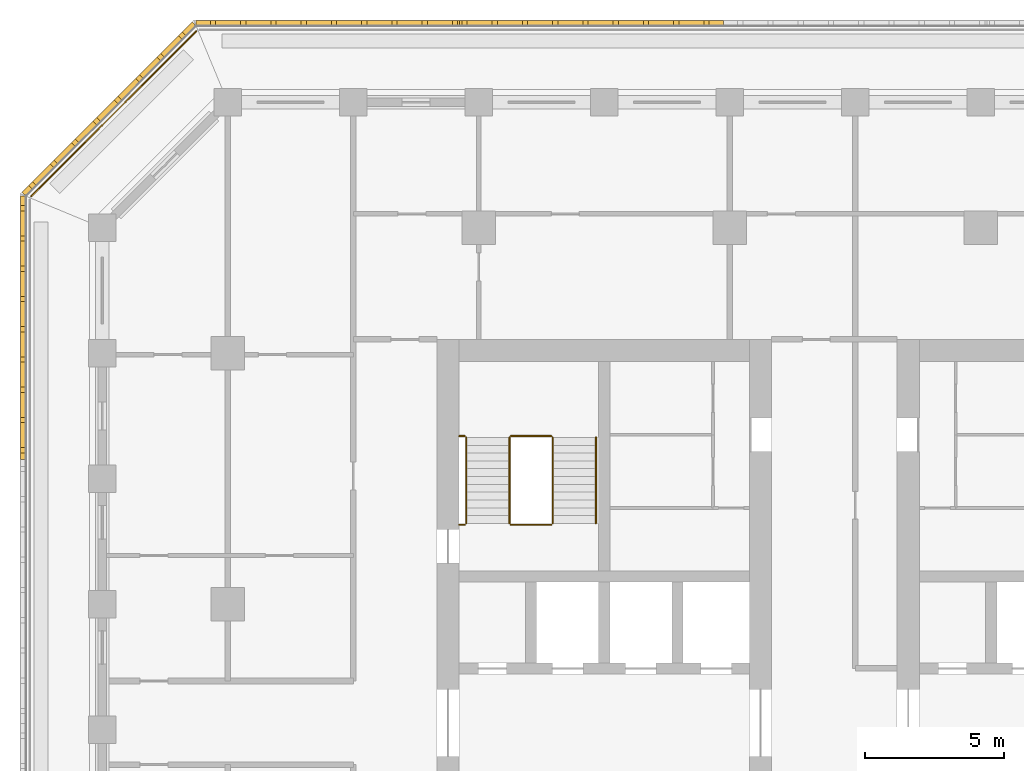
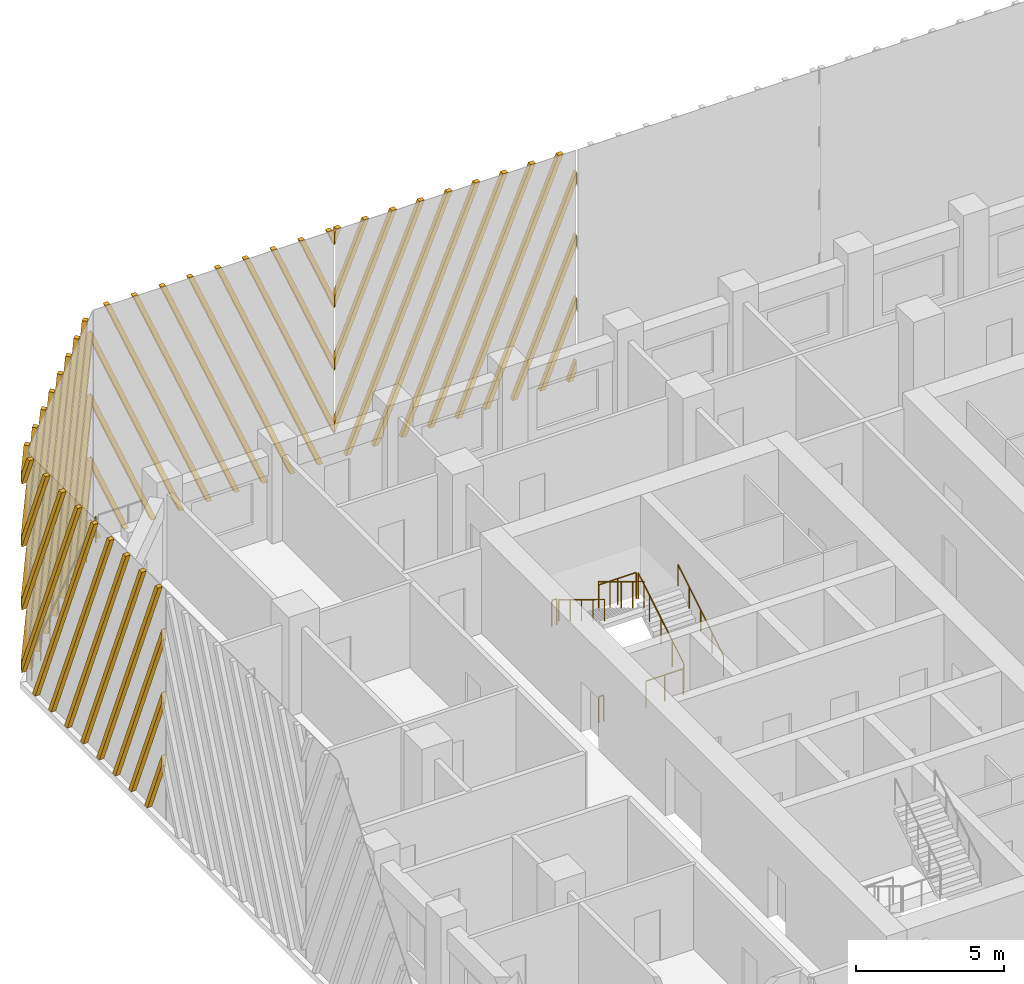
# One storey, part 14 of 17: 9 railings, 4 shading devices.
"""IFC4 building model written with IfcOpenShell, lengths in metres."""

from ifc_helpers import new_model, si_unit, direction, frame, origin, origin_2d, place, context, subcontext, project, spatial, polyline, circle, outline, extrude, source, transform, mapped, material, type_object, element, save


model = new_model("IFC4")

# Units and contexts
model_context = context("Model", 3, precision=1e-05, world=origin(), true_north=direction((0.0, 1.0)))
body_context = subcontext(model_context, "Body", "Model", "MODEL_VIEW")
ifc_project = project(units=[si_unit("LENGTHUNIT", "METRE"), si_unit("AREAUNIT", "SQUARE_METRE"), si_unit("VOLUMEUNIT", "CUBIC_METRE"), si_unit("PLANEANGLEUNIT", "RADIAN"), si_unit("MASSUNIT", "GRAM", prefix="KILO")], contexts=[model_context])

# Site, building, storey
site_placement = place(None, origin())
site = spatial("IfcSite", under=ifc_project, at=site_placement, CompositionType="ELEMENT")
building_placement = place(site_placement, origin())
building = spatial("IfcBuilding", under=site, at=building_placement, Name="Corbel Stack Research Tower", CompositionType="ELEMENT")
storey_placement = place(building_placement, frame((0.0, 0.0, 216.10009765625)))
storey = spatial("IfcBuildingStorey", under=building, at=storey_placement, Name="L49", CompositionType="ELEMENT", Elevation=216.10009765625)

# Railings
ifc_material_1 = material(Name="Steel S355", Category="steel")
railing_type_1 = type_object("IfcRailingType", Name="Stair guard 1100", PredefinedType="GUARDRAIL", material=ifc_material_1)
railing_1_placement = place(storey_placement, frame((-6.35009765625, 11.89990234375, 0.170654296875)))
element("IfcRailing", 1, at=railing_1_placement, inside=storey, type_object=railing_type_1, Name="L49 ST-W2 stair guard 1", PredefinedType="GUARDRAIL", context=body_context, shape_type="SweptSolid", body=[
    extrude(circle(Radius=0.02392578125, at=origin_2d()), frame((0.0, 0.0, 1.076171875), z_axis=(0.0, 0.853666305674, 0.52082035152), x_axis=(-1.0, 0.0, 0.0)), (0.0, 0.0, 1.0), 3.608154296875),
    extrude(circle(Radius=0.02099609375, at=origin_2d()), origin(), (0.0, 0.0, 1.0), 1.052001953125),
    extrude(circle(Radius=0.02099609375, at=origin_2d()), frame((0.0, 0.77001953125, 0.4697265625)), (0.0, 0.0, 1.0), 1.052001953125),
    extrude(circle(Radius=0.02099609375, at=origin_2d()), frame((0.0, 1.5400390625, 0.939453125)), (0.0, 0.0, 1.0), 1.052001953125),
    extrude(circle(Radius=0.02099609375, at=origin_2d()), frame((0.0, 2.31005859375, 1.409423828125)), (0.0, 0.0, 1.0), 1.052001953125),
    extrude(circle(Radius=0.02099609375, at=origin_2d()), frame((0.0, 3.080078125, 1.879150390625)), (0.0, 0.0, 1.0), 1.052001953125),
])
railing_2_placement = place(storey_placement, frame((-6.39990234375, 15.030029296875, 2.0498046875)))
element("IfcRailing", 2, at=railing_2_placement, inside=storey, type_object=railing_type_1, Name="L49 ST-W2 stair guard 2", PredefinedType="GUARDRAIL", context=body_context, shape_type="SweptSolid", body=[
    extrude(circle(Radius=0.02392578125, at=origin_2d()), frame((0.0, 0.0, 1.076171875), z_axis=(-1.0, 0.0, 0.0), x_axis=(0.0, -1.0, 0.0)), (0.0, 0.0, 1.0), 1.4501953125),
    extrude(circle(Radius=0.02099609375, at=origin_2d()), origin(), (0.0, 0.0, 1.0), 1.052001953125),
    extrude(circle(Radius=0.02099609375, at=origin_2d()), frame((-0.72509765625, 0.0, 0.0)), (0.0, 0.0, 1.0), 1.052001953125),
    extrude(circle(Radius=0.02099609375, at=origin_2d()), frame((-1.4501953125, 0.0, 0.0)), (0.0, 0.0, 1.0), 1.052001953125),
])
railing_3_placement = place(storey_placement, frame((-9.5, 15.030029296875, 2.0498046875)))
element("IfcRailing", 3, at=railing_3_placement, inside=storey, type_object=railing_type_1, Name="L49 ST-W2 stair guard 3", PredefinedType="GUARDRAIL", context=body_context, shape_type="SweptSolid", body=[
    extrude(circle(Radius=0.02392578125, at=origin_2d()), frame((0.0, 0.0, 1.076171875), z_axis=(-1.0, 0.0, 0.0), x_axis=(0.0, -1.0, 0.0)), (0.0, 0.0, 1.0), 0.199951171875),
    extrude(circle(Radius=0.02099609375, at=origin_2d()), origin(), (0.0, 0.0, 1.0), 1.052001953125),
    extrude(circle(Radius=0.02099609375, at=origin_2d()), frame((-0.199951171875, 0.0, 0.0)), (0.0, 0.0, 1.0), 1.052001953125),
])
railing_4_placement = place(storey_placement, frame((-7.89990234375, 14.97998046875, 2.220703125)))
element("IfcRailing", 4, at=railing_4_placement, inside=storey, type_object=railing_type_1, Name="L49 ST-W2 stair guard 4", PredefinedType="GUARDRAIL", context=body_context, shape_type="SweptSolid", body=[
    extrude(circle(Radius=0.02392578125, at=origin_2d()), frame((0.0, 0.0, 1.076171875), z_axis=(0.0, -0.853666305674, 0.52082035152), x_axis=(1.0, 0.0, 0.0)), (0.0, 0.0, 1.0), 3.608154296875),
    extrude(circle(Radius=0.02099609375, at=origin_2d()), origin(), (0.0, 0.0, 1.0), 1.052001953125),
    extrude(circle(Radius=0.02099609375, at=origin_2d()), frame((0.0, -0.77001953125, 0.4697265625)), (0.0, 0.0, 1.0), 1.052001953125),
    extrude(circle(Radius=0.02099609375, at=origin_2d()), frame((0.0, -1.5400390625, 0.939453125)), (0.0, 0.0, 1.0), 1.052001953125),
    extrude(circle(Radius=0.02099609375, at=origin_2d()), frame((0.0, -2.31005859375, 1.409423828125)), (0.0, 0.0, 1.0), 1.052001953125),
    extrude(circle(Radius=0.02099609375, at=origin_2d()), frame((0.0, -3.080078125, 1.879150390625)), (0.0, 0.0, 1.0), 1.052001953125),
])
railing_5_placement = place(storey_placement, frame((-6.39990234375, 11.85009765625, 0.0)))
element("IfcRailing", 5, at=railing_5_placement, inside=storey, type_object=railing_type_1, Name="L49 ST-W2 stair guard 5", PredefinedType="GUARDRAIL", context=body_context, shape_type="SweptSolid", body=[
    extrude(circle(Radius=0.02392578125, at=origin_2d()), frame((0.0, 0.0, 1.076171875), z_axis=(-1.0, 0.0, 0.0), x_axis=(0.0, -1.0, 0.0)), (0.0, 0.0, 1.0), 1.4501953125),
    extrude(circle(Radius=0.02099609375, at=origin_2d()), origin(), (0.0, 0.0, 1.0), 1.052001953125),
    extrude(circle(Radius=0.02099609375, at=origin_2d()), frame((-0.72509765625, 0.0, 0.0)), (0.0, 0.0, 1.0), 1.052001953125),
    extrude(circle(Radius=0.02099609375, at=origin_2d()), frame((-1.4501953125, 0.0, 0.0)), (0.0, 0.0, 1.0), 1.052001953125),
])
railing_6_placement = place(storey_placement, frame((-9.5, 11.85009765625, 0.0)))
element("IfcRailing", 6, at=railing_6_placement, inside=storey, type_object=railing_type_1, Name="L49 ST-W2 stair guard 6", PredefinedType="GUARDRAIL", context=body_context, shape_type="SweptSolid", body=[
    extrude(circle(Radius=0.02392578125, at=origin_2d()), frame((0.0, 0.0, 1.076171875), z_axis=(-1.0, 0.0, 0.0), x_axis=(0.0, -1.0, 0.0)), (0.0, 0.0, 1.0), 0.199951171875),
    extrude(circle(Radius=0.02099609375, at=origin_2d()), origin(), (0.0, 0.0, 1.0), 1.052001953125),
    extrude(circle(Radius=0.02099609375, at=origin_2d()), frame((-0.199951171875, 0.0, 0.0)), (0.0, 0.0, 1.0), 1.052001953125),
])
ifc_material_2 = material(Name="Steel S355", Category="steel")
railing_type_2 = type_object("IfcRailingType", Name="Stair handrail 900", PredefinedType="HANDRAIL", material=ifc_material_2)
railing_7_placement = place(storey_placement, frame((-4.800048828125, 11.89990234375, 0.170654296875)))
element("IfcRailing", 7, at=railing_7_placement, inside=storey, type_object=railing_type_2, Name="L49 ST-W2 stair handrail 1", PredefinedType="HANDRAIL", context=body_context, shape_type="SweptSolid", body=[
    extrude(circle(Radius=0.02392578125, at=origin_2d()), frame((0.0, 0.0, 0.8759765625), z_axis=(0.0, 0.853666305674, 0.52082035152), x_axis=(-1.0, 0.0, 0.0)), (0.0, 0.0, 1.0), 3.608154296875),
    extrude(circle(Radius=0.02099609375, at=origin_2d()), origin(), (0.0, 0.0, 1.0), 0.851806640625),
    extrude(circle(Radius=0.02099609375, at=origin_2d()), frame((0.0, 0.77001953125, 0.4697265625)), (0.0, 0.0, 1.0), 0.851806640625),
    extrude(circle(Radius=0.02099609375, at=origin_2d()), frame((0.0, 1.5400390625, 0.939453125)), (0.0, 0.0, 1.0), 0.851806640625),
    extrude(circle(Radius=0.02099609375, at=origin_2d()), frame((0.0, 2.31005859375, 1.409423828125)), (0.0, 0.0, 1.0), 0.851806640625),
    extrude(circle(Radius=0.02099609375, at=origin_2d()), frame((0.0, 3.080078125, 1.879150390625)), (0.0, 0.0, 1.0), 0.851806640625),
])
railing_8_placement = place(storey_placement, frame((-9.449951171875, 14.97998046875, 2.220703125)))
element("IfcRailing", 8, at=railing_8_placement, inside=storey, type_object=railing_type_2, Name="L49 ST-W2 stair handrail 2", PredefinedType="HANDRAIL", context=body_context, shape_type="SweptSolid", body=[
    extrude(circle(Radius=0.02392578125, at=origin_2d()), frame((0.0, 0.0, 0.8759765625), z_axis=(0.0, -0.853666305674, 0.52082035152), x_axis=(1.0, 0.0, 0.0)), (0.0, 0.0, 1.0), 3.608154296875),
    extrude(circle(Radius=0.02099609375, at=origin_2d()), origin(), (0.0, 0.0, 1.0), 0.851806640625),
    extrude(circle(Radius=0.02099609375, at=origin_2d()), frame((0.0, -0.77001953125, 0.4697265625)), (0.0, 0.0, 1.0), 0.851806640625),
    extrude(circle(Radius=0.02099609375, at=origin_2d()), frame((0.0, -1.5400390625, 0.939453125)), (0.0, 0.0, 1.0), 0.851806640625),
    extrude(circle(Radius=0.02099609375, at=origin_2d()), frame((0.0, -2.31005859375, 1.409423828125)), (0.0, 0.0, 1.0), 0.851806640625),
    extrude(circle(Radius=0.02099609375, at=origin_2d()), frame((0.0, -3.080078125, 1.879150390625)), (0.0, 0.0, 1.0), 0.851806640625),
])
ifc_material_3 = material(Name="Powder-coated steel guard", Category="steel")
railing_type_3 = type_object("IfcRailingType", Name="Steel and glass guard 1100", PredefinedType="GUARDRAIL", material=ifc_material_3)
railing_9_placement = place(storey_placement, frame((-19.127685546875, 29.54931640625, 0.0)))
element("IfcRailing", 9, at=railing_9_placement, inside=storey, type_object=railing_type_3, Name="Loggia guard L49 NW", PredefinedType="GUARDRAIL", context=body_context, shape_type="SweptSolid", body=[
    extrude(circle(Radius=0.02392578125, at=origin_2d()), frame((0.0, 0.0, 1.076171875), z_axis=(-0.707106781187, -0.707106781187, 0.0), x_axis=(0.707106781187, -0.707106781187, 0.0)), (0.0, 0.0, 1.0), 8.37451171875),
    extrude(circle(Radius=0.02099609375, at=origin_2d()), origin(), (0.0, 0.0, 1.0), 1.052001953125),
    extrude(circle(Radius=0.02099609375, at=origin_2d()), frame((-0.845947265625, -0.845947265625, 0.0)), (0.0, 0.0, 1.0), 1.052001953125),
    extrude(circle(Radius=0.02099609375, at=origin_2d()), frame((-1.69189453125, -1.69189453125, 0.0)), (0.0, 0.0, 1.0), 1.052001953125),
    extrude(circle(Radius=0.02099609375, at=origin_2d()), frame((-2.537841796875, -2.537841796875, 0.0)), (0.0, 0.0, 1.0), 1.052001953125),
    extrude(circle(Radius=0.02099609375, at=origin_2d()), frame((-3.3837890625, -3.3837890625, 0.0)), (0.0, 0.0, 1.0), 1.052001953125),
    extrude(circle(Radius=0.02099609375, at=origin_2d()), frame((-4.229736328125, -4.229736328125, 0.0)), (0.0, 0.0, 1.0), 1.052001953125),
    extrude(circle(Radius=0.02099609375, at=origin_2d()), frame((-5.07568359375, -5.07568359375, 0.0)), (0.0, 0.0, 1.0), 1.052001953125),
    extrude(circle(Radius=0.02099609375, at=origin_2d()), frame((-5.921630859375, -5.921630859375, 0.0)), (0.0, 0.0, 1.0), 1.052001953125),
])

# Shading devices
ifc_material_4 = material(Name="Precast terracotta", Category="masonry")
shading_device_type = type_object("IfcShadingDeviceType", Name="Terracotta screen panel", PredefinedType="USERDEFINED", material=ifc_material_4)
shared_shape_1 = source(origin(), body_context, "Body", "SweptSolid", [
    extrude(outline(polyline([(0.26611328125, 9.5), (0.076171875, 9.5), (0.0, 9.317626953125), (0.0, 8.862548828125), (0.26611328125, 9.5)])), frame((0.0, 0.0, 0.0), z_axis=(0.0, -1.0, 0.0), x_axis=(1.0, 0.0, 0.0)), (0.0, 0.0, 1.0), 0.179931640625),
    extrude(outline(polyline([(1.350830078125, 9.5), (1.160888671875, 9.5), (0.0, 6.720458984375), (0.0, 6.265380859375), (1.350830078125, 9.5)])), frame((0.0, 0.0, 0.0), z_axis=(0.0, -1.0, 0.0), x_axis=(1.0, 0.0, 0.0)), (0.0, 0.0, 1.0), 0.179931640625),
    extrude(outline(polyline([(2.435546875, 9.5), (2.24560546875, 9.5), (0.0, 4.123291015625), (0.0, 3.668212890625), (2.435546875, 9.5)])), frame((0.0, 0.0, 0.0), z_axis=(0.0, -1.0, 0.0), x_axis=(1.0, 0.0, 0.0)), (0.0, 0.0, 1.0), 0.179931640625),
    extrude(outline(polyline([(3.520263671875, 9.5), (3.330078125, 9.5), (0.0, 1.526123046875), (0.0, 1.071044921875), (3.520263671875, 9.5)])), frame((0.0, 0.0, 0.0), z_axis=(0.0, -1.0, 0.0), x_axis=(1.0, 0.0, 0.0)), (0.0, 0.0, 1.0), 0.179931640625),
    extrude(outline(polyline([(0.63720703125, 0.0), (4.604736328125, 9.5), (4.414794921875, 9.5), (0.447265625, 0.0), (0.63720703125, 0.0)])), frame((0.0, 0.0, 0.0), z_axis=(0.0, -1.0, 0.0), x_axis=(1.0, 0.0, 0.0)), (0.0, 0.0, 1.0), 0.179931640625),
    extrude(outline(polyline([(1.721923828125, 0.0), (5.689453125, 9.5), (5.49951171875, 9.5), (1.531982421875, 0.0), (1.721923828125, 0.0)])), frame((0.0, 0.0, 0.0), z_axis=(0.0, -1.0, 0.0), x_axis=(1.0, 0.0, 0.0)), (0.0, 0.0, 1.0), 0.179931640625),
    extrude(outline(polyline([(2.806640625, 0.0), (6.774169921875, 9.5), (6.584228515625, 9.5), (2.61669921875, 0.0), (2.806640625, 0.0)])), frame((0.0, 0.0, 0.0), z_axis=(0.0, -1.0, 0.0), x_axis=(1.0, 0.0, 0.0)), (0.0, 0.0, 1.0), 0.179931640625),
    extrude(outline(polyline([(3.891357421875, 0.0), (7.85888671875, 9.5), (7.668701171875, 9.5), (3.701416015625, 0.0), (3.891357421875, 0.0)])), frame((0.0, 0.0, 0.0), z_axis=(0.0, -1.0, 0.0), x_axis=(1.0, 0.0, 0.0)), (0.0, 0.0, 1.0), 0.179931640625),
    extrude(outline(polyline([(4.97607421875, 0.0), (8.943603515625, 9.5), (8.75341796875, 9.5), (4.785888671875, 0.0), (4.97607421875, 0.0)])), frame((0.0, 0.0, 0.0), z_axis=(0.0, -1.0, 0.0), x_axis=(1.0, 0.0, 0.0)), (0.0, 0.0, 1.0), 0.179931640625),
    extrude(outline(polyline([(6.060791015625, 0.0), (9.45556640625, 8.129150390625), (9.45556640625, 8.583984375), (5.87060546875, 0.0), (6.060791015625, 0.0)])), frame((0.0, 0.0, 0.0), z_axis=(0.0, -1.0, 0.0), x_axis=(1.0, 0.0, 0.0)), (0.0, 0.0, 1.0), 0.179931640625),
    extrude(outline(polyline([(7.145263671875, 0.0), (9.45556640625, 5.531982421875), (9.45556640625, 5.98681640625), (6.955322265625, 0.0), (7.145263671875, 0.0)])), frame((0.0, 0.0, 0.0), z_axis=(0.0, -1.0, 0.0), x_axis=(1.0, 0.0, 0.0)), (0.0, 0.0, 1.0), 0.179931640625),
    extrude(outline(polyline([(8.22998046875, 0.0), (9.45556640625, 2.934814453125), (9.45556640625, 3.3896484375), (8.0400390625, 0.0), (8.22998046875, 0.0)])), frame((0.0, 0.0, 0.0), z_axis=(0.0, -1.0, 0.0), x_axis=(1.0, 0.0, 0.0)), (0.0, 0.0, 1.0), 0.179931640625),
    extrude(outline(polyline([(9.314697265625, 0.0), (9.45556640625, 0.337646484375), (9.45556640625, 0.79248046875), (9.124755859375, 0.0), (9.314697265625, 0.0)])), frame((0.0, 0.0, 0.0), z_axis=(0.0, -1.0, 0.0), x_axis=(1.0, 0.0, 0.0)), (0.0, 0.0, 1.0), 0.179931640625),
])
shading_device_1_placement = place(storey_placement, frame((-9.68359375, 29.75, 0.0), z_axis=(0.0, 0.0, 1.0), x_axis=(-1.0, 0.0, 0.0)))
element("IfcShadingDevice", 10, at=shading_device_1_placement, inside=storey, type_object=shading_device_type, Name="Terracotta screen L49 N5", ObjectType="SCREEN", PredefinedType="USERDEFINED", context=body_context, shape_type="MappedRepresentation", body=[
    mapped(shared_shape_1, transform((0.0, 0.0, 0.0))),
])
shared_shape_2 = source(origin(), body_context, "Body", "SweptSolid", [
    extrude(outline(polyline([(0.3310546875, 0.0), (0.0, 0.79248046875), (0.0, 0.337646484375), (0.14111328125, 0.0), (0.3310546875, 0.0)])), frame((0.0, 0.0, 0.0), z_axis=(0.0, -1.0, 0.0), x_axis=(1.0, 0.0, 0.0)), (0.0, 0.0, 1.0), 0.179931640625),
    extrude(outline(polyline([(1.41552734375, 0.0), (0.0, 3.3896484375), (0.0, 2.934814453125), (1.2255859375, 0.0), (1.41552734375, 0.0)])), frame((0.0, 0.0, 0.0), z_axis=(0.0, -1.0, 0.0), x_axis=(1.0, 0.0, 0.0)), (0.0, 0.0, 1.0), 0.179931640625),
    extrude(outline(polyline([(2.500244140625, 0.0), (0.0, 5.98681640625), (0.0, 5.531982421875), (2.310302734375, 0.0), (2.500244140625, 0.0)])), frame((0.0, 0.0, 0.0), z_axis=(0.0, -1.0, 0.0), x_axis=(1.0, 0.0, 0.0)), (0.0, 0.0, 1.0), 0.179931640625),
    extrude(outline(polyline([(3.5849609375, 0.0), (0.0, 8.583984375), (0.0, 8.129150390625), (3.39501953125, 0.0), (3.5849609375, 0.0)])), frame((0.0, 0.0, 0.0), z_axis=(0.0, -1.0, 0.0), x_axis=(1.0, 0.0, 0.0)), (0.0, 0.0, 1.0), 0.179931640625),
    extrude(outline(polyline([(4.669677734375, 0.0), (0.7021484375, 9.5), (0.51220703125, 9.5), (4.4794921875, 0.0), (4.669677734375, 0.0)])), frame((0.0, 0.0, 0.0), z_axis=(0.0, -1.0, 0.0), x_axis=(1.0, 0.0, 0.0)), (0.0, 0.0, 1.0), 0.179931640625),
    extrude(outline(polyline([(5.75439453125, 0.0), (1.786865234375, 9.5), (1.5966796875, 9.5), (5.564208984375, 0.0), (5.75439453125, 0.0)])), frame((0.0, 0.0, 0.0), z_axis=(0.0, -1.0, 0.0), x_axis=(1.0, 0.0, 0.0)), (0.0, 0.0, 1.0), 0.179931640625),
    extrude(outline(polyline([(6.839111328125, 0.0), (2.87158203125, 9.5), (2.681396484375, 9.5), (6.64892578125, 0.0), (6.839111328125, 0.0)])), frame((0.0, 0.0, 0.0), z_axis=(0.0, -1.0, 0.0), x_axis=(1.0, 0.0, 0.0)), (0.0, 0.0, 1.0), 0.179931640625),
    extrude(outline(polyline([(7.923583984375, 0.0), (3.9560546875, 9.5), (3.76611328125, 9.5), (7.733642578125, 0.0), (7.923583984375, 0.0)])), frame((0.0, 0.0, 0.0), z_axis=(0.0, -1.0, 0.0), x_axis=(1.0, 0.0, 0.0)), (0.0, 0.0, 1.0), 0.179931640625),
    extrude(outline(polyline([(9.00830078125, 0.0), (5.040771484375, 9.5), (4.850830078125, 9.5), (8.818359375, 0.0), (9.00830078125, 0.0)])), frame((0.0, 0.0, 0.0), z_axis=(0.0, -1.0, 0.0), x_axis=(1.0, 0.0, 0.0)), (0.0, 0.0, 1.0), 0.179931640625),
    extrude(outline(polyline([(6.12548828125, 9.5), (5.935546875, 9.5), (9.45556640625, 1.071044921875), (9.45556640625, 1.526123046875), (6.12548828125, 9.5)])), frame((0.0, 0.0, 0.0), z_axis=(0.0, -1.0, 0.0), x_axis=(1.0, 0.0, 0.0)), (0.0, 0.0, 1.0), 0.179931640625),
    extrude(outline(polyline([(7.210205078125, 9.5), (7.02001953125, 9.5), (9.45556640625, 3.668212890625), (9.45556640625, 4.123291015625), (7.210205078125, 9.5)])), frame((0.0, 0.0, 0.0), z_axis=(0.0, -1.0, 0.0), x_axis=(1.0, 0.0, 0.0)), (0.0, 0.0, 1.0), 0.179931640625),
    extrude(outline(polyline([(8.294921875, 9.5), (8.104736328125, 9.5), (9.45556640625, 6.265380859375), (9.45556640625, 6.720458984375), (8.294921875, 9.5)])), frame((0.0, 0.0, 0.0), z_axis=(0.0, -1.0, 0.0), x_axis=(1.0, 0.0, 0.0)), (0.0, 0.0, 1.0), 0.179931640625),
    extrude(outline(polyline([(9.37939453125, 9.5), (9.189453125, 9.5), (9.45556640625, 8.862548828125), (9.45556640625, 9.317626953125), (9.37939453125, 9.5)])), frame((0.0, 0.0, 0.0), z_axis=(0.0, -1.0, 0.0), x_axis=(1.0, 0.0, 0.0)), (0.0, 0.0, 1.0), 0.179931640625),
])
shading_device_2_placement = place(storey_placement, frame((-0.227783203125, 29.75, 0.0), z_axis=(0.0, 0.0, 1.0), x_axis=(-1.0, 0.0, 0.0)))
element("IfcShadingDevice", 11, at=shading_device_2_placement, inside=storey, type_object=shading_device_type, Name="Terracotta screen L49 N4", ObjectType="SCREEN", PredefinedType="USERDEFINED", context=body_context, shape_type="MappedRepresentation", body=[
    mapped(shared_shape_2, transform((0.0, 0.0, 0.0))),
])
shared_shape_3 = source(origin(), body_context, "Body", "SweptSolid", [
    extrude(outline(polyline([(0.3310546875, 0.0), (0.0, 0.79248046875), (0.0, 0.337646484375), (0.14111328125, 0.0), (0.3310546875, 0.0)])), frame((0.0, 0.0, 0.0), z_axis=(0.0, -1.0, 0.0), x_axis=(1.0, 0.0, 0.0)), (0.0, 0.0, 1.0), 0.179931640625),
    extrude(outline(polyline([(1.41552734375, 0.0), (0.0, 3.3896484375), (0.0, 2.934814453125), (1.2255859375, 0.0), (1.41552734375, 0.0)])), frame((0.0, 0.0, 0.0), z_axis=(0.0, -1.0, 0.0), x_axis=(1.0, 0.0, 0.0)), (0.0, 0.0, 1.0), 0.179931640625),
    extrude(outline(polyline([(2.500244140625, 0.0), (0.0, 5.98681640625), (0.0, 5.531982421875), (2.310302734375, 0.0), (2.500244140625, 0.0)])), frame((0.0, 0.0, 0.0), z_axis=(0.0, -1.0, 0.0), x_axis=(1.0, 0.0, 0.0)), (0.0, 0.0, 1.0), 0.179931640625),
    extrude(outline(polyline([(3.5849609375, 0.0), (0.0, 8.583984375), (0.0, 8.129150390625), (3.39501953125, 0.0), (3.5849609375, 0.0)])), frame((0.0, 0.0, 0.0), z_axis=(0.0, -1.0, 0.0), x_axis=(1.0, 0.0, 0.0)), (0.0, 0.0, 1.0), 0.179931640625),
    extrude(outline(polyline([(4.669677734375, 0.0), (0.7021484375, 9.5), (0.51220703125, 9.5), (4.4794921875, 0.0), (4.669677734375, 0.0)])), frame((0.0, 0.0, 0.0), z_axis=(0.0, -1.0, 0.0), x_axis=(1.0, 0.0, 0.0)), (0.0, 0.0, 1.0), 0.179931640625),
    extrude(outline(polyline([(5.75439453125, 0.0), (1.786865234375, 9.5), (1.5966796875, 9.5), (5.564208984375, 0.0), (5.75439453125, 0.0)])), frame((0.0, 0.0, 0.0), z_axis=(0.0, -1.0, 0.0), x_axis=(1.0, 0.0, 0.0)), (0.0, 0.0, 1.0), 0.179931640625),
    extrude(outline(polyline([(6.839111328125, 0.0), (2.87158203125, 9.5), (2.681396484375, 9.5), (6.64892578125, 0.0), (6.839111328125, 0.0)])), frame((0.0, 0.0, 0.0), z_axis=(0.0, -1.0, 0.0), x_axis=(1.0, 0.0, 0.0)), (0.0, 0.0, 1.0), 0.179931640625),
    extrude(outline(polyline([(7.923583984375, 0.0), (3.9560546875, 9.5), (3.76611328125, 9.5), (7.733642578125, 0.0), (7.923583984375, 0.0)])), frame((0.0, 0.0, 0.0), z_axis=(0.0, -1.0, 0.0), x_axis=(1.0, 0.0, 0.0)), (0.0, 0.0, 1.0), 0.179931640625),
    extrude(outline(polyline([(5.040771484375, 9.5), (4.850830078125, 9.5), (8.64208984375, 0.421875), (8.64208984375, 0.876708984375), (5.040771484375, 9.5)])), frame((0.0, 0.0, 0.0), z_axis=(0.0, -1.0, 0.0), x_axis=(1.0, 0.0, 0.0)), (0.0, 0.0, 1.0), 0.179931640625),
    extrude(outline(polyline([(6.12548828125, 9.5), (5.935546875, 9.5), (8.64208984375, 3.01904296875), (8.64208984375, 3.473876953125), (6.12548828125, 9.5)])), frame((0.0, 0.0, 0.0), z_axis=(0.0, -1.0, 0.0), x_axis=(1.0, 0.0, 0.0)), (0.0, 0.0, 1.0), 0.179931640625),
    extrude(outline(polyline([(7.210205078125, 9.5), (7.02001953125, 9.5), (8.64208984375, 5.6162109375), (8.64208984375, 6.071044921875), (7.210205078125, 9.5)])), frame((0.0, 0.0, 0.0), z_axis=(0.0, -1.0, 0.0), x_axis=(1.0, 0.0, 0.0)), (0.0, 0.0, 1.0), 0.179931640625),
    extrude(outline(polyline([(8.294921875, 9.5), (8.104736328125, 9.5), (8.64208984375, 8.21337890625), (8.64208984375, 8.668212890625), (8.294921875, 9.5)])), frame((0.0, 0.0, 0.0), z_axis=(0.0, -1.0, 0.0), x_axis=(1.0, 0.0, 0.0)), (0.0, 0.0, 1.0), 0.179931640625),
])
shading_device_3_placement = place(storey_placement, frame((-19.13916015625, 29.75, 0.0), z_axis=(0.0, 0.0, 1.0), x_axis=(-0.707106781187, -0.707106781187, 0.0)))
element("IfcShadingDevice", 12, at=shading_device_3_placement, inside=storey, type_object=shading_device_type, Name="Terracotta screen L49 NW1", ObjectType="SCREEN", PredefinedType="USERDEFINED", context=body_context, shape_type="MappedRepresentation", body=[
    mapped(shared_shape_3, transform((0.0, 0.0, 0.0))),
])
shared_shape_4 = source(origin(), body_context, "Body", "SweptSolid", [
    extrude(outline(polyline([(0.537353515625, 9.5), (0.347412109375, 9.5), (0.0, 8.668212890625), (0.0, 8.21337890625), (0.537353515625, 9.5)])), frame((0.0, 0.0, 0.0), z_axis=(0.0, -1.0, 0.0), x_axis=(1.0, 0.0, 0.0)), (0.0, 0.0, 1.0), 0.179931640625),
    extrude(outline(polyline([(1.6220703125, 9.5), (1.431884765625, 9.5), (0.0, 6.071044921875), (0.0, 5.6162109375), (1.6220703125, 9.5)])), frame((0.0, 0.0, 0.0), z_axis=(0.0, -1.0, 0.0), x_axis=(1.0, 0.0, 0.0)), (0.0, 0.0, 1.0), 0.179931640625),
    extrude(outline(polyline([(2.706787109375, 9.5), (2.5166015625, 9.5), (0.0, 3.473876953125), (0.0, 3.01904296875), (2.706787109375, 9.5)])), frame((0.0, 0.0, 0.0), z_axis=(0.0, -1.0, 0.0), x_axis=(1.0, 0.0, 0.0)), (0.0, 0.0, 1.0), 0.179931640625),
    extrude(outline(polyline([(3.791259765625, 9.5), (3.601318359375, 9.5), (0.0, 0.876708984375), (0.0, 0.421875), (3.791259765625, 9.5)])), frame((0.0, 0.0, 0.0), z_axis=(0.0, -1.0, 0.0), x_axis=(1.0, 0.0, 0.0)), (0.0, 0.0, 1.0), 0.179931640625),
    extrude(outline(polyline([(0.908447265625, 0.0), (4.8759765625, 9.5), (4.68603515625, 9.5), (0.718505859375, 0.0), (0.908447265625, 0.0)])), frame((0.0, 0.0, 0.0), z_axis=(0.0, -1.0, 0.0), x_axis=(1.0, 0.0, 0.0)), (0.0, 0.0, 1.0), 0.179931640625),
    extrude(outline(polyline([(1.9931640625, 0.0), (5.960693359375, 9.5), (5.770751953125, 9.5), (1.80322265625, 0.0), (1.9931640625, 0.0)])), frame((0.0, 0.0, 0.0), z_axis=(0.0, -1.0, 0.0), x_axis=(1.0, 0.0, 0.0)), (0.0, 0.0, 1.0), 0.179931640625),
    extrude(outline(polyline([(3.077880859375, 0.0), (7.04541015625, 9.5), (6.855224609375, 9.5), (2.8876953125, 0.0), (3.077880859375, 0.0)])), frame((0.0, 0.0, 0.0), z_axis=(0.0, -1.0, 0.0), x_axis=(1.0, 0.0, 0.0)), (0.0, 0.0, 1.0), 0.179931640625),
    extrude(outline(polyline([(4.16259765625, 0.0), (8.1298828125, 9.5), (7.93994140625, 9.5), (3.972412109375, 0.0), (4.16259765625, 0.0)])), frame((0.0, 0.0, 0.0), z_axis=(0.0, -1.0, 0.0), x_axis=(1.0, 0.0, 0.0)), (0.0, 0.0, 1.0), 0.179931640625),
    extrude(outline(polyline([(5.247314453125, 0.0), (9.214599609375, 9.5), (9.024658203125, 9.5), (5.05712890625, 0.0), (5.247314453125, 0.0)])), frame((0.0, 0.0, 0.0), z_axis=(0.0, -1.0, 0.0), x_axis=(1.0, 0.0, 0.0)), (0.0, 0.0, 1.0), 0.179931640625),
    extrude(outline(polyline([(6.331787109375, 0.0), (9.45556640625, 7.479736328125), (9.45556640625, 7.934814453125), (6.141845703125, 0.0), (6.331787109375, 0.0)])), frame((0.0, 0.0, 0.0), z_axis=(0.0, -1.0, 0.0), x_axis=(1.0, 0.0, 0.0)), (0.0, 0.0, 1.0), 0.179931640625),
    extrude(outline(polyline([(7.41650390625, 0.0), (9.45556640625, 4.882568359375), (9.45556640625, 5.337646484375), (7.2265625, 0.0), (7.41650390625, 0.0)])), frame((0.0, 0.0, 0.0), z_axis=(0.0, -1.0, 0.0), x_axis=(1.0, 0.0, 0.0)), (0.0, 0.0, 1.0), 0.179931640625),
    extrude(outline(polyline([(8.501220703125, 0.0), (9.45556640625, 2.285400390625), (9.45556640625, 2.740478515625), (8.311279296875, 0.0), (8.501220703125, 0.0)])), frame((0.0, 0.0, 0.0), z_axis=(0.0, -1.0, 0.0), x_axis=(1.0, 0.0, 0.0)), (0.0, 0.0, 1.0), 0.179931640625),
])
shading_device_4_placement = place(storey_placement, frame((-25.25, 23.63916015625, 0.0), z_axis=(0.0, 0.0, 1.0), x_axis=(0.0, -1.0, 0.0)))
element("IfcShadingDevice", 13, at=shading_device_4_placement, inside=storey, type_object=shading_device_type, Name="Terracotta screen L49 W1", ObjectType="SCREEN", PredefinedType="USERDEFINED", context=body_context, shape_type="MappedRepresentation", body=[
    mapped(shared_shape_4, transform((0.0, 0.0, 0.0))),
])

save(model, "model.ifc")
